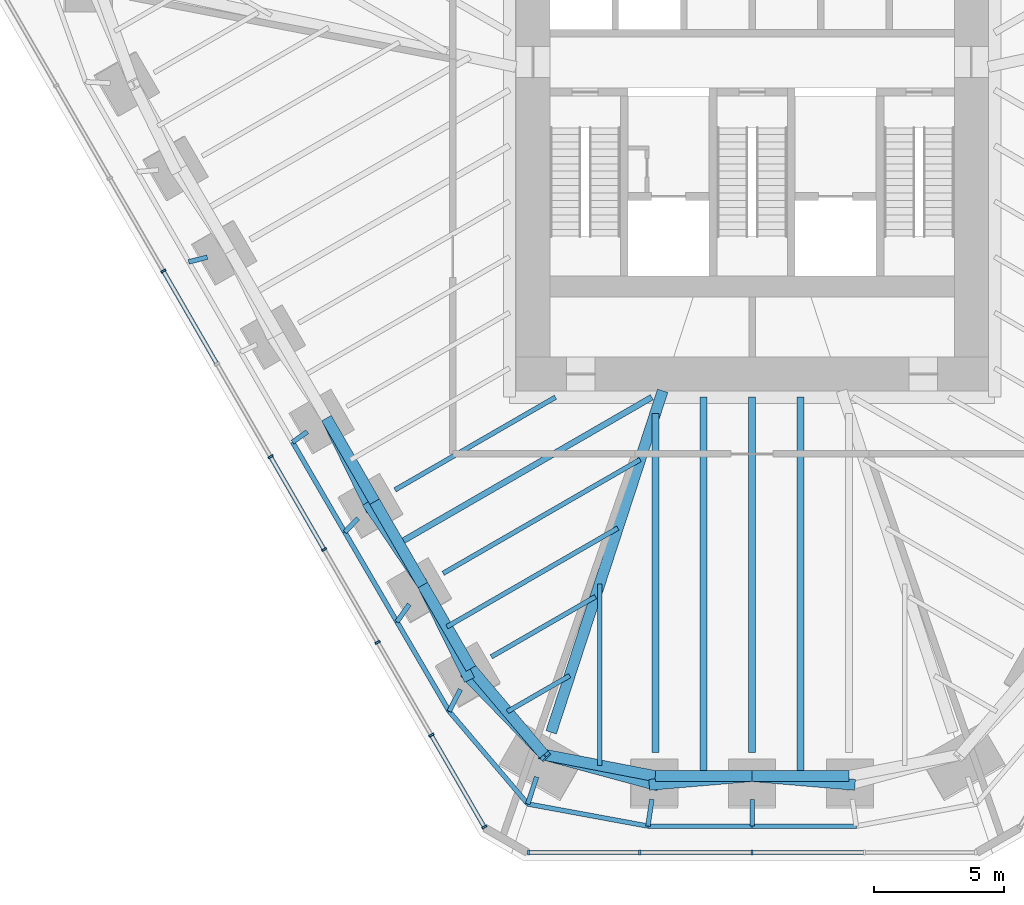
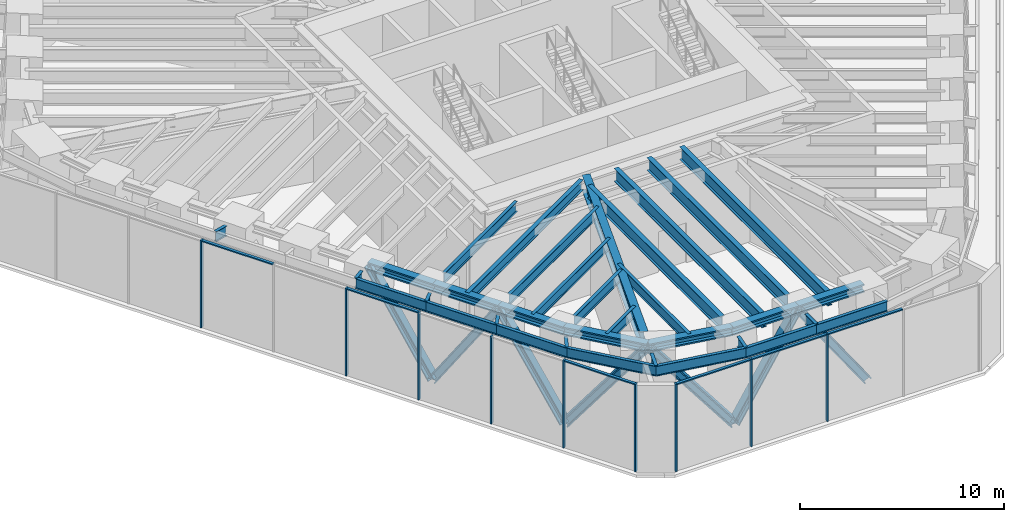
# One storey, part 2 of 12: 34 beams, 22 members, 2 elements without a shape of their own.
"""IFC4 building model written with IfcOpenShell, lengths in metres."""

from ifc_helpers import new_model, si_unit, direction, frame, origin, origin_2d, place, context, subcontext, project, spatial, rectangle, i_section, extrude, material, material_profile, profile_set, type_object, element, aggregate, save


model = new_model("IFC4")

# Units and contexts
model_context = context("Model", 3, precision=1e-05, world=origin(), true_north=direction((0.0, 1.0)))
body_context = subcontext(model_context, "Body", "Model", "MODEL_VIEW")
ifc_project = project(units=[si_unit("LENGTHUNIT", "METRE"), si_unit("AREAUNIT", "SQUARE_METRE"), si_unit("VOLUMEUNIT", "CUBIC_METRE"), si_unit("PLANEANGLEUNIT", "RADIAN"), si_unit("MASSUNIT", "GRAM", prefix="KILO")], contexts=[model_context])

# Site, building, storey
site_placement = place(None, origin())
site = spatial("IfcSite", under=ifc_project, at=site_placement, CompositionType="ELEMENT")
building_placement = place(site_placement, origin())
building = spatial("IfcBuilding", under=site, at=building_placement, Name="Sandreach Pilgrim Tower", CompositionType="ELEMENT")
storey_placement = place(building_placement, frame((0.0, 0.0, 172.800048828125)))
storey = spatial("IfcBuildingStorey", under=building, at=storey_placement, Name="L43", CompositionType="ELEMENT", Elevation=172.800048828125)

# Beams
ifc_material_1 = material(Name="Steel ASTM A913 Grade 65", Category="steel")
ifc_material_profile_1 = material_profile(ifc_material_1, i_section(OverallWidth=0.4267578125, OverallDepth=0.482666015625, WebThickness=0.05126953125, FlangeThickness=0.08154296875, at=origin_2d()), Name="W14X455")
ifc_profile_set_1 = profile_set([ifc_material_profile_1], Name="Steel ASTM A913 Grade 65")
beam_type_1 = type_object("IfcBeamType", Name="Belt truss chord W14X455", PredefinedType="BEAM", material=ifc_profile_set_1)
for number, where, z_axis, x_axis, name in (
    (1, (3.71044921875, -25.26513671875, 4.99853515625), (-1.0, 0.0, 0.0), (0.0, -1.0, 0.0), "BM L43 BTT23"),
    (2, (0.0, -25.26513671875, 4.99853515625), (-1.0, 0.0, 0.0), (0.0, -1.0, 0.0), "BM L43 BTT24"),
):
    element("IfcBeam", number, at=place(storey_placement, frame(where, z_axis=z_axis, x_axis=x_axis)), inside=storey, type_object=beam_type_1, Name=name, PredefinedType="BEAM", context=body_context, shape_type="SweptSolid", body=[
        extrude(i_section(OverallWidth=0.4267578125, OverallDepth=0.482666015625, WebThickness=0.05126953125, FlangeThickness=0.08154296875, at=origin_2d()), origin(), (0.0, 0.0, 1.0), 3.71044921875),
    ])
beam_1_placement = place(storey_placement, frame((-3.71044921875, -25.26513671875, 4.99853515625), z_axis=(-0.981901333807, 0.18939316426, 0.0), x_axis=(-0.18939316426, -0.981901333807, 0.0)))
element("IfcBeam", 3, at=beam_1_placement, inside=storey, type_object=beam_type_1, Name="BM L43 BTT25", PredefinedType="BEAM", context=body_context, shape_type="SweptSolid", body=[
    extrude(i_section(OverallWidth=0.4267578125, OverallDepth=0.482666015625, WebThickness=0.05126953125, FlangeThickness=0.08154296875, at=origin_2d()), origin(), (0.0, 0.0, 1.0), 4.3466796875),
])
beam_2_placement = place(storey_placement, frame((-7.978515625, -24.44189453125, 4.99853515625), z_axis=(-0.646180160755, 0.76318490541, 0.0), x_axis=(-0.76318490541, -0.646180160755, 0.0)))
element("IfcBeam", 4, at=beam_2_placement, inside=storey, type_object=beam_type_1, Name="BM L43 BTT26", PredefinedType="BEAM", context=body_context, shape_type="SweptSolid", body=[
    extrude(i_section(OverallWidth=0.4267578125, OverallDepth=0.482666015625, WebThickness=0.05126953125, FlangeThickness=0.08154296875, at=origin_2d()), origin(), (0.0, 0.0, 1.0), 4.323486328125),
])
for number, where, z_axis, x_axis, name in (
    (5, (-10.772216796875, -21.142333984375, 4.99853515625), (-0.499993363642, 0.866029235253, 0.0), (-0.866029235253, -0.499993363642, 0.0), "BM L43 BTT27"),
    (6, (-12.618408203125, -17.944580078125, 4.99853515625), (-0.499993363642, 0.866029235253, 0.0), (-0.866029235253, -0.499993363642, 0.0), "BM L43 BTT28"),
):
    element("IfcBeam", number, at=place(storey_placement, frame(where, z_axis=z_axis, x_axis=x_axis)), inside=storey, type_object=beam_type_1, Name=name, PredefinedType="BEAM", context=body_context, shape_type="SweptSolid", body=[
        extrude(i_section(OverallWidth=0.4267578125, OverallDepth=0.482666015625, WebThickness=0.05126953125, FlangeThickness=0.08154296875, at=origin_2d()), origin(), (0.0, 0.0, 1.0), 3.6923828125),
    ])
beam_3_placement = place(storey_placement, frame((-14.464599609375, -14.746826171875, 4.99853515625), z_axis=(-0.49996473481, 0.866045763194, 0.0), x_axis=(-0.866045763194, -0.49996473481, 0.0)))
element("IfcBeam", 7, at=beam_3_placement, inside=storey, type_object=beam_type_1, Name="BM L43 BTT29", PredefinedType="BEAM", context=body_context, shape_type="SweptSolid", body=[
    extrude(i_section(OverallWidth=0.4267578125, OverallDepth=0.482666015625, WebThickness=0.05126953125, FlangeThickness=0.08154296875, at=origin_2d()), origin(), (0.0, 0.0, 1.0), 3.692626953125),
])

# Members
ifc_material_2 = material(Name="Steel ASTM A913 Grade 65", Category="steel")
ifc_material_profile_2 = material_profile(ifc_material_2, i_section(OverallWidth=0.419189453125, OverallDepth=0.45458984375, WebThickness=0.042236328125, FlangeThickness=0.067626953125, at=origin_2d()), Name="W14X370")
ifc_profile_set_2 = profile_set([ifc_material_profile_2], Name="Steel ASTM A913 Grade 65")
member_type_1 = type_object("IfcMemberType", Name="Belt truss diagonal W14X370", PredefinedType="BRACE", material=ifc_profile_set_2)
for number, where, z_axis, x_axis, name in (
    (8, (3.75732421875, -25.58447265625, -0.4013671875), (-0.570481909391, 0.048485402046, 0.819877769455), (-0.084684949522, -0.996407777631, 0.0), "Belt truss diagonal L43 bay 23"),
    (9, (0.0, -25.26513671875, 4.99853515625), (-0.570481909391, -0.048485402046, -0.819877769455), (0.084684949522, -0.996407777631, 0.0), "Belt truss diagonal L43 bay 24"),
):
    element("IfcMember", number, at=place(storey_placement, frame(where, z_axis=z_axis, x_axis=x_axis)), inside=storey, type_object=member_type_1, Name=name, PredefinedType="BRACE", context=body_context, shape_type="SweptSolid", body=[
        extrude(i_section(OverallWidth=0.419189453125, OverallDepth=0.45458984375, WebThickness=0.042236328125, FlangeThickness=0.067626953125, at=origin_2d()), origin(), (0.0, 0.0, 1.0), 6.586181640625),
    ])
member_1_placement = place(storey_placement, frame((-3.75732421875, -25.58447265625, -0.4013671875), z_axis=(-0.60748901661, 0.164433117278, 0.777122155546), x_axis=(-0.261274605116, -0.965264513344, 0.0)))
element("IfcMember", 10, at=member_1_placement, inside=storey, type_object=member_type_1, Name="Belt truss diagonal L43 bay 25", PredefinedType="BRACE", context=body_context, shape_type="SweptSolid", body=[
    extrude(i_section(OverallWidth=0.419189453125, OverallDepth=0.45458984375, WebThickness=0.042236328125, FlangeThickness=0.067626953125, at=origin_2d()), origin(), (0.0, 0.0, 1.0), 6.948486328125),
])
member_2_placement = place(storey_placement, frame((-7.978515625, -24.44189453125, 4.99853515625), z_axis=(-0.427998156749, 0.442075871123, -0.78828072537), x_axis=(-0.718453665543, -0.69557482018, 0.0)))
element("IfcMember", 11, at=member_2_placement, inside=storey, type_object=member_type_1, Name="Belt truss diagonal L43 bay 26", PredefinedType="BRACE", context=body_context, shape_type="SweptSolid", body=[
    extrude(i_section(OverallWidth=0.419189453125, OverallDepth=0.45458984375, WebThickness=0.042236328125, FlangeThickness=0.067626953125, at=origin_2d()), origin(), (0.0, 0.0, 1.0), 6.850341796875),
])
member_3_placement = place(storey_placement, frame((-10.910400390625, -21.41357421875, -0.4013671875), z_axis=(-0.257170147661, 0.522317128089, 0.813048788731), x_axis=(-0.897150659058, -0.441724682298, 0.0)))
element("IfcMember", 12, at=member_3_placement, inside=storey, type_object=member_type_1, Name="Belt truss diagonal L43 bay 27", PredefinedType="BRACE", context=body_context, shape_type="SweptSolid", body=[
    extrude(i_section(OverallWidth=0.419189453125, OverallDepth=0.45458984375, WebThickness=0.042236328125, FlangeThickness=0.067626953125, at=origin_2d()), origin(), (0.0, 0.0, 1.0), 6.6416015625),
])
member_4_placement = place(storey_placement, frame((-12.618408203125, -17.944580078125, 4.99853515625), z_axis=(-0.312249190131, 0.462370436191, -0.8298879581), x_axis=(-0.828724692685, -0.559656487262, 0.0)))
element("IfcMember", 13, at=member_4_placement, inside=storey, type_object=member_type_1, Name="Belt truss diagonal L43 bay 28", PredefinedType="BRACE", context=body_context, shape_type="SweptSolid", body=[
    extrude(i_section(OverallWidth=0.419189453125, OverallDepth=0.45458984375, WebThickness=0.042236328125, FlangeThickness=0.067626953125, at=origin_2d()), origin(), (0.0, 0.0, 1.0), 6.5068359375),
])
member_5_placement = place(storey_placement, frame((-14.650146484375, -14.93603515625, -0.4013671875), z_axis=(-0.252105644824, 0.514218423447, 0.819769575451), x_axis=(-0.897894641446, -0.440210418849, 0.0)))
element("IfcMember", 14, at=member_5_placement, inside=storey, type_object=member_type_1, Name="Belt truss diagonal L43 bay 29", PredefinedType="BRACE", context=body_context, shape_type="SweptSolid", body=[
    extrude(i_section(OverallWidth=0.419189453125, OverallDepth=0.45458984375, WebThickness=0.042236328125, FlangeThickness=0.067626953125, at=origin_2d()), origin(), (0.0, 0.0, 1.0), 6.587158203125),
])

# Curtain wall, members
ifc_material_3 = material(Name="Aluminium framed curtain wall", Category="aluminium")
curtain_wall_type = type_object("IfcCurtainWallType", Name="Plant storey louvred curtain wall", PredefinedType="NOTDEFINED", material=ifc_material_3)
curtain_wall_1_placement = place(storey_placement, origin())
curtain_wall_1 = element("IfcCurtainWall", 15, at=curtain_wall_1_placement, inside=storey, type_object=curtain_wall_type, Name="CW-L L43 S", PredefinedType="NOTDEFINED")
ifc_material_4 = material(Name="Aluminium extrusion", Category="aluminium")
ifc_material_profile_3 = material_profile(ifc_material_4, rectangle(XDim=0.080078125, YDim=0.199951171875, at=origin_2d()), Name="CW-LM 80X200")
ifc_profile_set_3 = profile_set([ifc_material_profile_3], Name="Aluminium extrusion")
member_type_2 = type_object("IfcMemberType", Name="CW-L mullion", PredefinedType="MULLION", material=ifc_profile_set_3)
member_6_placement = place(storey_placement, frame((0.0, -28.192138671875, 0.0), z_axis=(0.0, 0.0, 1.0), x_axis=(-1.0, 0.0, 0.0)))
member_6 = element("IfcMember", 16, at=member_6_placement, type_object=member_type_2, Name="CW-L mullion 3", PredefinedType="MULLION", context=body_context, shape_type="SweptSolid", body=[
    extrude(rectangle(XDim=0.080078125, YDim=0.199951171875, at=origin_2d()), origin(), (0.0, 0.0, 1.0), 5.239990234375),
])
member_7_placement = place(storey_placement, frame((-4.3056640625, -28.192138671875, 0.0), z_axis=(0.0, 0.0, 1.0), x_axis=(-1.0, 0.0, 0.0)))
member_7 = element("IfcMember", 17, at=member_7_placement, type_object=member_type_2, Name="CW-L mullion 4", PredefinedType="MULLION", context=body_context, shape_type="SweptSolid", body=[
    extrude(rectangle(XDim=0.080078125, YDim=0.199951171875, at=origin_2d()), origin(), (0.0, 0.0, 1.0), 5.239990234375),
])
member_8_placement = place(storey_placement, frame((-8.5712890625, -28.192138671875, 0.0), z_axis=(0.0, 0.0, 1.0), x_axis=(-1.0, 0.0, 0.0)))
member_8 = element("IfcMember", 18, at=member_8_placement, type_object=member_type_2, Name="CW-L mullion 5", PredefinedType="MULLION", context=body_context, shape_type="SweptSolid", body=[
    extrude(rectangle(XDim=0.080078125, YDim=0.199951171875, at=origin_2d()), origin(), (0.0, 0.0, 1.0), 5.239990234375),
])

curtain_wall_2_placement = place(storey_placement, origin())
curtain_wall_2 = element("IfcCurtainWall", 19, at=curtain_wall_2_placement, inside=storey, type_object=curtain_wall_type, Name="CW-L L43 SW", PredefinedType="NOTDEFINED")
member_9_placement = place(storey_placement, frame((-10.259521484375, -27.217529296875, 0.0), z_axis=(0.0, 0.0, 1.0), x_axis=(-0.5, 0.866025403784, 0.0)))
member_9 = element("IfcMember", 20, at=member_9_placement, type_object=member_type_2, Name="CW-L mullion 1", PredefinedType="MULLION", context=body_context, shape_type="SweptSolid", body=[
    extrude(rectangle(XDim=0.080078125, YDim=0.199951171875, at=origin_2d()), origin(), (0.0, 0.0, 1.0), 5.239990234375),
])
member_10_placement = place(storey_placement, frame((-12.29296875, -23.695556640625, 0.0), z_axis=(0.0, 0.0, 1.0), x_axis=(-0.5, 0.866025403784, 0.0)))
member_10 = element("IfcMember", 21, at=member_10_placement, type_object=member_type_2, Name="CW-L mullion 2", PredefinedType="MULLION", context=body_context, shape_type="SweptSolid", body=[
    extrude(rectangle(XDim=0.080078125, YDim=0.199951171875, at=origin_2d()), origin(), (0.0, 0.0, 1.0), 5.239990234375),
])
member_11_placement = place(storey_placement, frame((-14.346435546875, -20.138671875, 0.0), z_axis=(0.0, 0.0, 1.0), x_axis=(-0.5, 0.866025403784, 0.0)))
member_11 = element("IfcMember", 22, at=member_11_placement, type_object=member_type_2, Name="CW-L mullion 3", PredefinedType="MULLION", context=body_context, shape_type="SweptSolid", body=[
    extrude(rectangle(XDim=0.080078125, YDim=0.199951171875, at=origin_2d()), origin(), (0.0, 0.0, 1.0), 5.239990234375),
])
member_12_placement = place(storey_placement, frame((-16.39990234375, -16.58203125, 0.0), z_axis=(0.0, 0.0, 1.0), x_axis=(-0.5, 0.866025403784, 0.0)))
member_12 = element("IfcMember", 23, at=member_12_placement, type_object=member_type_2, Name="CW-L mullion 4", PredefinedType="MULLION", context=body_context, shape_type="SweptSolid", body=[
    extrude(rectangle(XDim=0.080078125, YDim=0.199951171875, at=origin_2d()), origin(), (0.0, 0.0, 1.0), 5.239990234375),
])
member_13_placement = place(storey_placement, frame((-18.453369140625, -13.025146484375, 0.0), z_axis=(0.0, 0.0, 1.0), x_axis=(-0.5, 0.866025403784, 0.0)))
member_13 = element("IfcMember", 24, at=member_13_placement, type_object=member_type_2, Name="CW-L mullion 5", PredefinedType="MULLION", context=body_context, shape_type="SweptSolid", body=[
    extrude(rectangle(XDim=0.080078125, YDim=0.199951171875, at=origin_2d()), origin(), (0.0, 0.0, 1.0), 5.239990234375),
])
member_14_placement = place(storey_placement, frame((-22.560302734375, -5.911865234375, 0.0), z_axis=(0.0, 0.0, 1.0), x_axis=(-0.5, 0.866025403784, 0.0)))
member_14 = element("IfcMember", 25, at=member_14_placement, type_object=member_type_2, Name="CW-L mullion 7", PredefinedType="MULLION", context=body_context, shape_type="SweptSolid", body=[
    extrude(rectangle(XDim=0.080078125, YDim=0.199951171875, at=origin_2d()), origin(), (0.0, 0.0, 1.0), 5.239990234375),
])

# Member
ifc_material_5 = material(Name="Aluminium extrusion", Category="aluminium")
ifc_material_profile_4 = material_profile(ifc_material_5, rectangle(XDim=0.159912109375, YDim=0.070068359375, at=origin_2d()), Name="CW-LT 160X70")
ifc_profile_set_4 = profile_set([ifc_material_profile_4], Name="Aluminium extrusion")
member_type_3 = type_object("IfcMemberType", Name="CW-L transom", PredefinedType="USERDEFINED", material=ifc_profile_set_4)
member_15_placement = place(storey_placement, frame((4.265625, -28.192138671875, 5.204833984375), z_axis=(-1.0, 0.0, 0.0), x_axis=(0.0, -1.0, 0.0)))
member_15 = element("IfcMember", 26, at=member_15_placement, type_object=member_type_3, Name="CW-L head transom 2", ObjectType="TRANSOM", PredefinedType="USERDEFINED", context=body_context, shape_type="SweptSolid", body=[
    extrude(rectangle(XDim=0.159912109375, YDim=0.070068359375, at=origin_2d()), origin(), (0.0, 0.0, 1.0), 4.2255859375),
])

member_16_placement = place(storey_placement, frame((-0.0400390625, -28.192138671875, 5.204833984375), z_axis=(-1.0, 0.0, 0.0), x_axis=(0.0, -1.0, 0.0)))
member_16 = element("IfcMember", 27, at=member_16_placement, type_object=member_type_3, Name="CW-L head transom 3", ObjectType="TRANSOM", PredefinedType="USERDEFINED", context=body_context, shape_type="SweptSolid", body=[
    extrude(rectangle(XDim=0.159912109375, YDim=0.070068359375, at=origin_2d()), origin(), (0.0, 0.0, 1.0), 4.2255859375),
])

member_17_placement = place(storey_placement, frame((-4.345703125, -28.192138671875, 5.204833984375), z_axis=(-1.0, 0.0, 0.0), x_axis=(0.0, -1.0, 0.0)))
member_17 = element("IfcMember", 28, at=member_17_placement, type_object=member_type_3, Name="CW-L head transom 4", ObjectType="TRANSOM", PredefinedType="USERDEFINED", context=body_context, shape_type="SweptSolid", body=[
    extrude(rectangle(XDim=0.159912109375, YDim=0.070068359375, at=origin_2d()), origin(), (0.0, 0.0, 1.0), 4.185791015625),
])

aggregate(curtain_wall_1, [member_6, member_7, member_8, member_15, member_16, member_17])

member_18_placement = place(storey_placement, frame((-10.279541015625, -27.182861328125, 5.204833984375), z_axis=(-0.500005166599, 0.866022420826, 0.0), x_axis=(-0.866022420826, -0.500005166599, 0.0)))
member_18 = element("IfcMember", 29, at=member_18_placement, type_object=member_type_3, Name="CW-L head transom 1", ObjectType="TRANSOM", PredefinedType="USERDEFINED", context=body_context, shape_type="SweptSolid", body=[
    extrude(rectangle(XDim=0.159912109375, YDim=0.070068359375, at=origin_2d()), origin(), (0.0, 0.0, 1.0), 3.98681640625),
])

member_19_placement = place(storey_placement, frame((-16.419921875, -16.54736328125, 5.204833984375), z_axis=(-0.499979602577, 0.866037179922, 0.0), x_axis=(-0.866037179922, -0.499979602577, 0.0)))
member_19 = element("IfcMember", 30, at=member_19_placement, type_object=member_type_3, Name="CW-L head transom 4", ObjectType="TRANSOM", PredefinedType="USERDEFINED", context=body_context, shape_type="SweptSolid", body=[
    extrude(rectangle(XDim=0.159912109375, YDim=0.070068359375, at=origin_2d()), origin(), (0.0, 0.0, 1.0), 4.027099609375),
])

member_20_placement = place(storey_placement, frame((-20.52685546875, -9.433837890625, 5.204833984375), z_axis=(-0.500051323872, 0.865995769906, 0.0), x_axis=(-0.865995769906, -0.500051323872, 0.0)))
member_20 = element("IfcMember", 31, at=member_20_placement, type_object=member_type_3, Name="CW-L head transom 6", ObjectType="TRANSOM", PredefinedType="USERDEFINED", context=body_context, shape_type="SweptSolid", body=[
    extrude(rectangle(XDim=0.159912109375, YDim=0.070068359375, at=origin_2d()), origin(), (0.0, 0.0, 1.0), 4.02685546875),
])

aggregate(curtain_wall_2, [member_9, member_10, member_11, member_12, member_13, member_14, member_18, member_19, member_20])

# Beams
ifc_material_6 = material(Name="Steel ASTM A992 Grade 50", Category="steel")
ifc_material_profile_5 = material_profile(ifc_material_6, i_section(OverallWidth=0.419189453125, OverallDepth=0.927001953125, WebThickness=0.019287109375, FlangeThickness=0.031982421875, at=origin_2d()), Name="W36X231")
ifc_profile_set_5 = profile_set([ifc_material_profile_5], Name="Steel ASTM A992 Grade 50")
beam_type_2 = type_object("IfcBeamType", Name="Corner girder W36X231", PredefinedType="BEAM", material=ifc_profile_set_5)
beam_4_placement = place(storey_placement, frame((-7.69921875, -23.58642578125, 4.7763671875), z_axis=(0.310310528438, 0.950635248632, 0.0), x_axis=(-0.950635248632, 0.310310528438, 0.0)))
element("IfcBeam", 32, at=beam_4_placement, inside=storey, type_object=beam_type_2, Name="BM L43 CG26", PredefinedType="BEAM", context=body_context, shape_type="SweptSolid", body=[
    extrude(i_section(OverallWidth=0.419189453125, OverallDepth=0.927001953125, WebThickness=0.019287109375, FlangeThickness=0.031982421875, at=origin_2d()), origin(), (0.0, 0.0, 1.0), 13.765869140625),
])
ifc_material_7 = material(Name="Steel ASTM A992 Grade 50", Category="steel")
ifc_material_profile_6 = material_profile(ifc_material_7, i_section(OverallWidth=0.1787109375, OverallDepth=0.60205078125, WebThickness=0.010986328125, FlangeThickness=0.014892578125, at=origin_2d()), Name="W24X62")
ifc_profile_set_6 = profile_set([ifc_material_profile_6], Name="Steel ASTM A992 Grade 50")
beam_type_3 = type_object("IfcBeamType", Name="Floor beam W24X62", PredefinedType="BEAM", material=ifc_profile_set_6)
beam_5_placement = place(storey_placement, frame((-9.99267578125, -20.6923828125, 4.93896484375), z_axis=(0.866030286288, 0.49999154316, 0.0), x_axis=(-0.49999154316, 0.866030286288, 0.0)))
element("IfcBeam", 33, at=beam_5_placement, inside=storey, type_object=beam_type_3, Name="BM L43 F27", PredefinedType="BEAM", context=body_context, shape_type="SweptSolid", body=[
    extrude(i_section(OverallWidth=0.1787109375, OverallDepth=0.60205078125, WebThickness=0.010986328125, FlangeThickness=0.014892578125, at=origin_2d()), origin(), (0.0, 0.0, 1.0), 4.607421875),
])
beam_6_placement = place(storey_placement, frame((-11.8388671875, -17.49462890625, 4.93896484375), z_axis=(0.866018660621, 0.50001167932, 0.0), x_axis=(-0.50001167932, 0.866018660621, 0.0)))
element("IfcBeam", 34, at=beam_6_placement, inside=storey, type_object=beam_type_3, Name="BM L43 F28", PredefinedType="BEAM", context=body_context, shape_type="SweptSolid", body=[
    extrude(i_section(OverallWidth=0.1787109375, OverallDepth=0.60205078125, WebThickness=0.010986328125, FlangeThickness=0.014892578125, at=origin_2d()), origin(), (0.0, 0.0, 1.0), 8.719482421875),
])
beam_7_placement = place(storey_placement, frame((-13.685302734375, -14.296630859375, 4.93896484375), z_axis=(0.86603844406, 0.499977412899, 0.0), x_axis=(-0.499977412899, 0.86603844406, 0.0)))
element("IfcBeam", 35, at=beam_7_placement, inside=storey, type_object=beam_type_3, Name="BM L43 F29", PredefinedType="BEAM", context=body_context, shape_type="SweptSolid", body=[
    extrude(i_section(OverallWidth=0.1787109375, OverallDepth=0.60205078125, WebThickness=0.010986328125, FlangeThickness=0.014892578125, at=origin_2d()), origin(), (0.0, 0.0, 1.0), 7.100830078125),
])
beam_8_placement = place(storey_placement, frame((-5.844482421875, -24.853515625, 4.93896484375), z_axis=(0.0, 1.0, 0.0), x_axis=(-1.0, 0.0, 0.0)))
element("IfcBeam", 36, at=beam_8_placement, inside=storey, type_object=beam_type_3, Name="BM L43 FM25", PredefinedType="BEAM", context=body_context, shape_type="SweptSolid", body=[
    extrude(i_section(OverallWidth=0.1787109375, OverallDepth=0.60205078125, WebThickness=0.010986328125, FlangeThickness=0.014892578125, at=origin_2d()), origin(), (0.0, 0.0, 1.0), 6.94921875),
])
beam_9_placement = place(storey_placement, frame((-9.375244140625, -22.7919921875, 4.93896484375), z_axis=(0.866046803606, 0.49996293259, 0.0), x_axis=(-0.49996293259, 0.866046803606, 0.0)))
element("IfcBeam", 37, at=beam_9_placement, inside=storey, type_object=beam_type_3, Name="BM L43 FM26", PredefinedType="BEAM", context=body_context, shape_type="SweptSolid", body=[
    extrude(i_section(OverallWidth=0.1787109375, OverallDepth=0.60205078125, WebThickness=0.010986328125, FlangeThickness=0.014892578125, at=origin_2d()), origin(), (0.0, 0.0, 1.0), 2.753662109375),
])
beam_10_placement = place(storey_placement, frame((-11.6953125, -19.54345703125, 4.93896484375), z_axis=(0.866029704776, 0.49999255039, 0.0), x_axis=(-0.49999255039, 0.866029704776, 0.0)))
element("IfcBeam", 38, at=beam_10_placement, inside=storey, type_object=beam_type_3, Name="BM L43 FM27", PredefinedType="BEAM", context=body_context, shape_type="SweptSolid", body=[
    extrude(i_section(OverallWidth=0.1787109375, OverallDepth=0.60205078125, WebThickness=0.010986328125, FlangeThickness=0.014892578125, at=origin_2d()), origin(), (0.0, 0.0, 1.0), 7.5634765625),
])
ifc_material_8 = material(Name="Steel ASTM A992 Grade 50", Category="steel")
ifc_material_profile_7 = material_profile(ifc_material_8, i_section(OverallWidth=0.23046875, OverallDepth=0.6171875, WebThickness=0.01318359375, FlangeThickness=0.022216796875, at=origin_2d()), Name="W24X94")
ifc_profile_set_7 = profile_set([ifc_material_profile_7], Name="Steel ASTM A992 Grade 50")
beam_type_4 = type_object("IfcBeamType", Name="Floor beam W24X94", PredefinedType="BEAM", material=ifc_profile_set_7)
beam_11_placement = place(storey_placement, frame((-13.54150390625, -16.345703125, 4.931396484375), z_axis=(0.866027664105, 0.49999608499, 0.0), x_axis=(-0.49999608499, 0.866027664105, 0.0)))
element("IfcBeam", 39, at=beam_11_placement, inside=storey, type_object=beam_type_4, Name="BM L43 FM28", PredefinedType="BEAM", context=body_context, shape_type="SweptSolid", body=[
    extrude(i_section(OverallWidth=0.23046875, OverallDepth=0.6171875, WebThickness=0.01318359375, FlangeThickness=0.022216796875, at=origin_2d()), origin(), (0.0, 0.0, 1.0), 11.19873046875),
])
ifc_material_9 = material(Name="Steel ASTM A992 Grade 50", Category="steel")
ifc_material_profile_8 = material_profile(ifc_material_9, i_section(OverallWidth=0.2666015625, OverallDepth=0.761962890625, WebThickness=0.014404296875, FlangeThickness=0.021484375, at=origin_2d()), Name="W30X116")
ifc_profile_set_8 = profile_set([ifc_material_profile_8], Name="Steel ASTM A992 Grade 50")
beam_type_5 = type_object("IfcBeamType", Name="Floor beam W30X116", PredefinedType="BEAM", material=ifc_profile_set_8)
beam_12_placement = place(storey_placement, frame((0.0, -24.365234375, 4.85888671875), z_axis=(0.0, 1.0, 0.0), x_axis=(-1.0, 0.0, 0.0)))
element("IfcBeam", 40, at=beam_12_placement, inside=storey, type_object=beam_type_5, Name="BM L43 F24", PredefinedType="BEAM", context=body_context, shape_type="SweptSolid", body=[
    extrude(i_section(OverallWidth=0.2666015625, OverallDepth=0.761962890625, WebThickness=0.014404296875, FlangeThickness=0.021484375, at=origin_2d()), origin(), (0.0, 0.0, 1.0), 13.618896484375),
])
beam_13_placement = place(storey_placement, frame((-3.71044921875, -24.365234375, 4.85888671875), z_axis=(0.0, 1.0, 0.0), x_axis=(-1.0, 0.0, 0.0)))
element("IfcBeam", 41, at=beam_13_placement, inside=storey, type_object=beam_type_5, Name="BM L43 F25", PredefinedType="BEAM", context=body_context, shape_type="SweptSolid", body=[
    extrude(i_section(OverallWidth=0.2666015625, OverallDepth=0.761962890625, WebThickness=0.014404296875, FlangeThickness=0.021484375, at=origin_2d()), origin(), (0.0, 0.0, 1.0), 12.99853515625),
])
for number, where, z_axis, x_axis, name in (
    (42, (1.855224609375, -25.26513671875, 4.85888671875), (0.0, 1.0, 0.0), (-1.0, 0.0, 0.0), "BM L43 FM23"),
    (43, (-1.855224609375, -25.26513671875, 4.85888671875), (0.0, 1.0, 0.0), (-1.0, 0.0, 0.0), "BM L43 FM24"),
):
    element("IfcBeam", number, at=place(storey_placement, frame(where, z_axis=z_axis, x_axis=x_axis)), inside=storey, type_object=beam_type_5, Name=name, PredefinedType="BEAM", context=body_context, shape_type="SweptSolid", body=[
        extrude(i_section(OverallWidth=0.2666015625, OverallDepth=0.761962890625, WebThickness=0.014404296875, FlangeThickness=0.021484375, at=origin_2d()), origin(), (0.0, 0.0, 1.0), 14.518798828125),
    ])
ifc_material_10 = material(Name="Steel ASTM A992 Grade 50", Category="steel")
ifc_material_profile_9 = material_profile(ifc_material_10, i_section(OverallWidth=0.1787109375, OverallDepth=0.60205078125, WebThickness=0.010986328125, FlangeThickness=0.014892578125, at=origin_2d()), Name="W24X62")
ifc_profile_set_9 = profile_set([ifc_material_profile_9], Name="Steel ASTM A992 Grade 50")
beam_type_6 = type_object("IfcBeamType", Name="Setback roof edge beam W24X62", PredefinedType="BEAM", material=ifc_profile_set_9)
for number, where, z_axis, x_axis, name in (
    (44, (3.991455078125, -27.1796875, 4.89892578125), (-0.999999812937, -0.000611658091, 0.0), (0.000611658091, -0.999999812937, 0.0), "BM L43 RE23"),
    (45, (0.0, -27.18212890625, 4.89892578125), (-0.999999812937, 0.000611658091, 0.0), (-0.000611658091, -0.999999812937, 0.0), "BM L43 RE24"),
):
    element("IfcBeam", number, at=place(storey_placement, frame(where, z_axis=z_axis, x_axis=x_axis)), inside=storey, type_object=beam_type_6, Name=name, PredefinedType="BEAM", context=body_context, shape_type="SweptSolid", body=[
        extrude(i_section(OverallWidth=0.1787109375, OverallDepth=0.60205078125, WebThickness=0.010986328125, FlangeThickness=0.014892578125, at=origin_2d()), origin(), (0.0, 0.0, 1.0), 3.991455078125),
    ])
beam_14_placement = place(storey_placement, frame((-3.991455078125, -27.1796875, 4.89892578125), z_axis=(-0.983470300185, 0.181069513323, 0.0), x_axis=(-0.181069513323, -0.983470300185, 0.0)))
element("IfcBeam", 46, at=beam_14_placement, inside=storey, type_object=beam_type_6, Name="BM L43 RE25", PredefinedType="BEAM", context=body_context, shape_type="SweptSolid", body=[
    extrude(i_section(OverallWidth=0.1787109375, OverallDepth=0.60205078125, WebThickness=0.010986328125, FlangeThickness=0.014892578125, at=origin_2d()), origin(), (0.0, 0.0, 1.0), 4.681396484375),
])
beam_15_placement = place(storey_placement, frame((-8.595458984375, -26.33203125, 4.89892578125), z_axis=(-0.646982991569, 0.762504431869, 0.0), x_axis=(-0.762504431869, -0.646982991569, 0.0)))
element("IfcBeam", 47, at=beam_15_placement, inside=storey, type_object=beam_type_6, Name="BM L43 RE26", PredefinedType="BEAM", context=body_context, shape_type="SweptSolid", body=[
    extrude(i_section(OverallWidth=0.1787109375, OverallDepth=0.60205078125, WebThickness=0.010986328125, FlangeThickness=0.014892578125, at=origin_2d()), origin(), (0.0, 0.0, 1.0), 4.65576171875),
])
beam_16_placement = place(storey_placement, frame((-11.607666015625, -22.781982421875, 4.89892578125), z_axis=(-0.503714288321, 0.863870311876, 0.0), x_axis=(-0.863870311876, -0.503714288321, 0.0)))
element("IfcBeam", 48, at=beam_16_placement, inside=storey, type_object=beam_type_6, Name="BM L43 RE27", PredefinedType="BEAM", context=body_context, shape_type="SweptSolid", body=[
    extrude(i_section(OverallWidth=0.1787109375, OverallDepth=0.60205078125, WebThickness=0.010986328125, FlangeThickness=0.014892578125, at=origin_2d()), origin(), (0.0, 0.0, 1.0), 3.970947265625),
])
beam_17_placement = place(storey_placement, frame((-13.60791015625, -19.3515625, 4.89892578125), z_axis=(-0.503069469735, 0.864245976919, 0.0), x_axis=(-0.864245976919, -0.503069469735, 0.0)))
element("IfcBeam", 49, at=beam_17_placement, inside=storey, type_object=beam_type_6, Name="BM L43 RE28", PredefinedType="BEAM", context=body_context, shape_type="SweptSolid", body=[
    extrude(i_section(OverallWidth=0.1787109375, OverallDepth=0.60205078125, WebThickness=0.010986328125, FlangeThickness=0.014892578125, at=origin_2d()), origin(), (0.0, 0.0, 1.0), 3.97802734375),
])
beam_18_placement = place(storey_placement, frame((-15.609130859375, -15.91357421875, 4.89892578125), z_axis=(-0.501777701502, 0.864996611713, 0.0), x_axis=(-0.864996611713, -0.501777701502, 0.0)))
element("IfcBeam", 50, at=beam_18_placement, inside=storey, type_object=beam_type_6, Name="BM L43 RE29", PredefinedType="BEAM", context=body_context, shape_type="SweptSolid", body=[
    extrude(i_section(OverallWidth=0.1787109375, OverallDepth=0.60205078125, WebThickness=0.010986328125, FlangeThickness=0.014892578125, at=origin_2d()), origin(), (0.0, 0.0, 1.0), 3.98388671875),
])
ifc_material_11 = material(Name="Steel ASTM A992 Grade 50", Category="steel")
ifc_material_profile_10 = material_profile(ifc_material_11, i_section(OverallWidth=0.1787109375, OverallDepth=0.60205078125, WebThickness=0.010986328125, FlangeThickness=0.014892578125, at=origin_2d()), Name="W24X62")
ifc_profile_set_10 = profile_set([ifc_material_profile_10], Name="Steel ASTM A992 Grade 50")
beam_type_7 = type_object("IfcBeamType", Name="Setback roof outlooker W24X62", PredefinedType="BEAM", material=ifc_profile_set_10)
beam_19_placement = place(storey_placement, frame((0.0, -26.1650390625, 4.89892578125), z_axis=(0.0, -1.0, 0.0), x_axis=(1.0, 0.0, 0.0)))
element("IfcBeam", 51, at=beam_19_placement, inside=storey, type_object=beam_type_7, Name="BM L43 OL24", PredefinedType="BEAM", context=body_context, shape_type="SweptSolid", body=[
    extrude(i_section(OverallWidth=0.1787109375, OverallDepth=0.60205078125, WebThickness=0.010986328125, FlangeThickness=0.014892578125, at=origin_2d()), origin(), (0.0, 0.0, 1.0), 1.01708984375),
])
beam_20_placement = place(storey_placement, frame((-3.841064453125, -26.155517578125, 4.89892578125), z_axis=(-0.14528349971, -0.989390067017, 0.0), x_axis=(0.989390067017, -0.14528349971, 0.0)))
element("IfcBeam", 52, at=beam_20_placement, inside=storey, type_object=beam_type_7, Name="BM L43 OL25", PredefinedType="BEAM", context=body_context, shape_type="SweptSolid", body=[
    extrude(i_section(OverallWidth=0.1787109375, OverallDepth=0.60205078125, WebThickness=0.010986328125, FlangeThickness=0.014892578125, at=origin_2d()), origin(), (0.0, 0.0, 1.0), 1.03515625),
])
beam_21_placement = place(storey_placement, frame((-8.2578125, -25.29736328125, 4.89892578125), z_axis=(-0.310232166156, -0.950660824417, 0.0), x_axis=(0.950660824417, -0.310232166156, 0.0)))
element("IfcBeam", 53, at=beam_21_placement, inside=storey, type_object=beam_type_7, Name="BM L43 OL26", PredefinedType="BEAM", context=body_context, shape_type="SweptSolid", body=[
    extrude(i_section(OverallWidth=0.1787109375, OverallDepth=0.60205078125, WebThickness=0.010986328125, FlangeThickness=0.014892578125, at=origin_2d()), origin(), (0.0, 0.0, 1.0), 1.08837890625),
])
beam_22_placement = place(storey_placement, frame((-11.1806640625, -21.9443359375, 4.89892578125), z_axis=(-0.454159158703, -0.890920568045, 0.0), x_axis=(0.890920568045, -0.454159158703, 0.0)))
element("IfcBeam", 54, at=beam_22_placement, inside=storey, type_object=beam_type_7, Name="BM L43 OL27", PredefinedType="BEAM", context=body_context, shape_type="SweptSolid", body=[
    extrude(i_section(OverallWidth=0.1787109375, OverallDepth=0.60205078125, WebThickness=0.010986328125, FlangeThickness=0.014892578125, at=origin_2d()), origin(), (0.0, 0.0, 1.0), 0.940185546875),
])
beam_23_placement = place(storey_placement, frame((-13.135986328125, -18.6806640625, 4.89892578125), z_axis=(-0.575338568328, -0.817915357354, 0.0), x_axis=(0.817915357354, -0.575338568328, 0.0)))
element("IfcBeam", 55, at=beam_23_placement, inside=storey, type_object=beam_type_7, Name="BM L43 OL28", PredefinedType="BEAM", context=body_context, shape_type="SweptSolid", body=[
    extrude(i_section(OverallWidth=0.1787109375, OverallDepth=0.60205078125, WebThickness=0.010986328125, FlangeThickness=0.014892578125, at=origin_2d()), origin(), (0.0, 0.0, 1.0), 0.8203125),
])
beam_24_placement = place(storey_placement, frame((-15.094970703125, -15.38916015625, 4.89892578125), z_axis=(-0.700091352365, -0.714053288168, 0.0), x_axis=(0.714053288168, -0.700091352365, 0.0)))
element("IfcBeam", 56, at=beam_24_placement, inside=storey, type_object=beam_type_7, Name="BM L43 OL29", PredefinedType="BEAM", context=body_context, shape_type="SweptSolid", body=[
    extrude(i_section(OverallWidth=0.1787109375, OverallDepth=0.60205078125, WebThickness=0.010986328125, FlangeThickness=0.014892578125, at=origin_2d()), origin(), (0.0, 0.0, 1.0), 0.734375),
])
beam_25_placement = place(storey_placement, frame((-17.04541015625, -12.069091796875, 4.89892578125), z_axis=(-0.816142761885, -0.577850319912, 0.0), x_axis=(0.577850319912, -0.816142761885, 0.0)))
element("IfcBeam", 57, at=beam_25_placement, inside=storey, type_object=beam_type_7, Name="BM L43 OL30", PredefinedType="BEAM", context=body_context, shape_type="SweptSolid", body=[
    extrude(i_section(OverallWidth=0.1787109375, OverallDepth=0.60205078125, WebThickness=0.010986328125, FlangeThickness=0.014892578125, at=origin_2d()), origin(), (0.0, 0.0, 1.0), 0.689453125),
])
beam_26_placement = place(storey_placement, frame((-20.875, -5.3779296875, 4.89892578125), z_axis=(-0.968417285616, -0.249335037491, 0.0), x_axis=(0.249335037491, -0.968417285616, 0.0)))
element("IfcBeam", 58, at=beam_26_placement, inside=storey, type_object=beam_type_7, Name="BM L43 OL32", PredefinedType="BEAM", context=body_context, shape_type="SweptSolid", body=[
    extrude(i_section(OverallWidth=0.1787109375, OverallDepth=0.60205078125, WebThickness=0.010986328125, FlangeThickness=0.014892578125, at=origin_2d()), origin(), (0.0, 0.0, 1.0), 0.734375),
])

save(model, "model.ifc")
